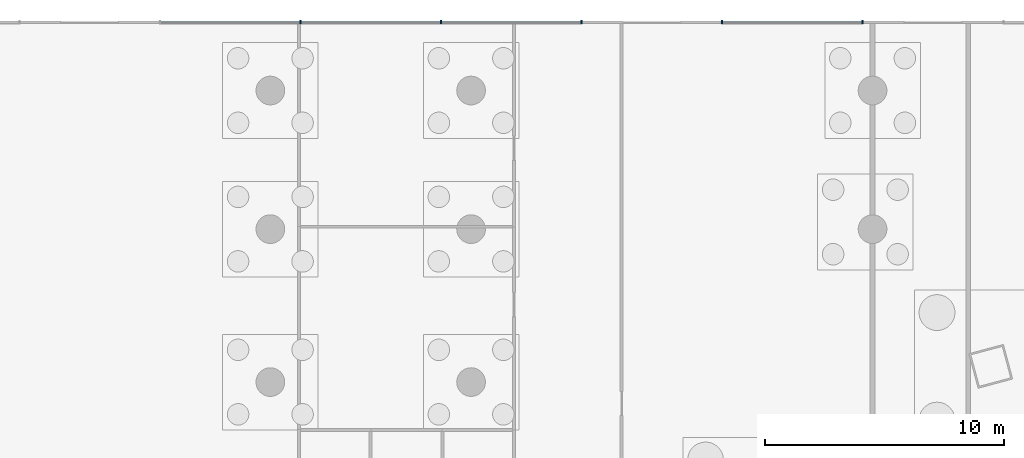
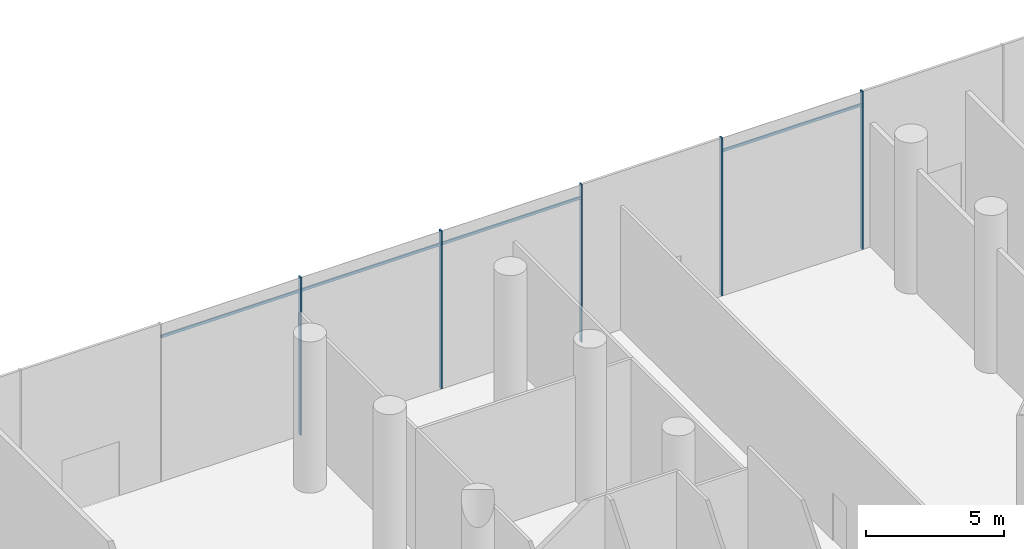
# One storey, part 17 of 41: 9 members, 1 element without a shape of its own.
"""IFC4 building model written with IfcOpenShell, lengths in metres."""

from ifc_helpers import new_model, si_unit, direction, frame, origin, origin_2d, place, context, subcontext, project, spatial, rectangle, extrude, material, material_profile, profile_set, type_object, element, aggregate, save


model = new_model("IFC4")

# Units and contexts
model_context = context("Model", 3, precision=1e-05, world=origin(), true_north=direction((0.0, 1.0)))
body_context = subcontext(model_context, "Body", "Model", "MODEL_VIEW")
ifc_project = project(units=[si_unit("LENGTHUNIT", "METRE"), si_unit("AREAUNIT", "SQUARE_METRE"), si_unit("VOLUMEUNIT", "CUBIC_METRE"), si_unit("PLANEANGLEUNIT", "RADIAN"), si_unit("MASSUNIT", "GRAM", prefix="KILO")], contexts=[model_context])

# Site, building, storey
site_placement = place(None, origin())
site = spatial("IfcSite", under=ifc_project, at=site_placement, CompositionType="ELEMENT")
building_placement = place(site_placement, origin())
building = spatial("IfcBuilding", under=site, at=building_placement, Name="Rimbun Link Towers", CompositionType="ELEMENT")
storey_placement = place(building_placement, origin())
storey = spatial("IfcBuildingStorey", under=building, at=storey_placement, Name="L00", CompositionType="ELEMENT", Elevation=0.0)

# Curtain wall, members
ifc_material_1 = material(Name="Aluminium 6063-T6 and low-iron glass", Category="aluminium")
curtain_wall_type = type_object("IfcCurtainWallType", Name="CW3 podium shopfront", PredefinedType="NOTDEFINED", material=ifc_material_1)
curtain_wall_placement = place(storey_placement, origin())
curtain_wall = element("IfcCurtainWall", 1, at=curtain_wall_placement, inside=storey, type_object=curtain_wall_type, Name="CW3 L00 PD", PredefinedType="NOTDEFINED")
ifc_material_2 = material(Name="Aluminium 6063-T6", Category="aluminium")
ifc_material_profile_1 = material_profile(ifc_material_2, rectangle(XDim=0.14990234375, YDim=0.06005859375, at=origin_2d()), Name="MULLION 60X150")
ifc_profile_set_1 = profile_set([ifc_material_profile_1], Name="Aluminium 6063-T6")
member_type_1 = type_object("IfcMemberType", Name="CW3 mullion 60X150", PredefinedType="MULLION", material=ifc_profile_set_1)
member_1_placement = place(storey_placement, frame((20.588134765625, 36.074951171875, 0.0), z_axis=(0.0, 0.0, 1.0), x_axis=(0.0, 1.0, 0.0)))
member_1 = element("IfcMember", 2, at=member_1_placement, type_object=member_type_1, Name="CW3 mullion", PredefinedType="MULLION", context=body_context, shape_type="SweptSolid", body=[
    extrude(rectangle(XDim=0.14990234375, YDim=0.06005859375, at=origin_2d()), origin(), (0.0, 0.0, 1.0), 7.0),
])
member_2_placement = place(storey_placement, frame((14.705810546875, 36.074951171875, 0.0), z_axis=(0.0, 0.0, 1.0), x_axis=(0.0, 1.0, 0.0)))
member_2 = element("IfcMember", 3, at=member_2_placement, type_object=member_type_1, Name="CW3 mullion", PredefinedType="MULLION", context=body_context, shape_type="SweptSolid", body=[
    extrude(rectangle(XDim=0.14990234375, YDim=0.06005859375, at=origin_2d()), origin(), (0.0, 0.0, 1.0), 7.0),
])
member_3_placement = place(storey_placement, frame((8.823486328125, 36.074951171875, 0.0), z_axis=(0.0, 0.0, 1.0), x_axis=(0.0, 1.0, 0.0)))
member_3 = element("IfcMember", 4, at=member_3_placement, type_object=member_type_1, Name="CW3 mullion", PredefinedType="MULLION", context=body_context, shape_type="SweptSolid", body=[
    extrude(rectangle(XDim=0.14990234375, YDim=0.06005859375, at=origin_2d()), origin(), (0.0, 0.0, 1.0), 7.0),
])
member_4_placement = place(storey_placement, frame((2.941162109375, 36.074951171875, 0.0), z_axis=(0.0, 0.0, 1.0), x_axis=(0.0, 1.0, 0.0)))
member_4 = element("IfcMember", 5, at=member_4_placement, type_object=member_type_1, Name="CW3 mullion", PredefinedType="MULLION", context=body_context, shape_type="SweptSolid", body=[
    extrude(rectangle(XDim=0.14990234375, YDim=0.06005859375, at=origin_2d()), origin(), (0.0, 0.0, 1.0), 7.0),
])
member_5_placement = place(storey_placement, frame((-2.941162109375, 36.074951171875, 0.0), z_axis=(0.0, 0.0, 1.0), x_axis=(0.0, 1.0, 0.0)))
member_5 = element("IfcMember", 6, at=member_5_placement, type_object=member_type_1, Name="CW3 mullion", PredefinedType="MULLION", context=body_context, shape_type="SweptSolid", body=[
    extrude(rectangle(XDim=0.14990234375, YDim=0.06005859375, at=origin_2d()), origin(), (0.0, 0.0, 1.0), 7.0),
])
ifc_material_3 = material(Name="Aluminium 6063-T6", Category="aluminium")
ifc_material_profile_2 = material_profile(ifc_material_3, rectangle(XDim=0.06005859375, YDim=0.1201171875, at=origin_2d()), Name="TRANSOM 60X120")
ifc_profile_set_2 = profile_set([ifc_material_profile_2], Name="Aluminium 6063-T6")
member_type_2 = type_object("IfcMemberType", Name="CW3 transom 60X120", PredefinedType="USERDEFINED", material=ifc_profile_set_2)
member_6_placement = place(storey_placement, frame((14.73583984375, 36.053955078125, 6.39990234375), z_axis=(1.0, 0.0, 0.0), x_axis=(0.0, 1.0, 0.0)))
member_6 = element("IfcMember", 7, at=member_6_placement, type_object=member_type_2, Name="CW3 transom", ObjectType="TRANSOM", PredefinedType="USERDEFINED", context=body_context, shape_type="SweptSolid", body=[
    extrude(rectangle(XDim=0.06005859375, YDim=0.1201171875, at=origin_2d()), origin(), (0.0, 0.0, 1.0), 5.822509765625),
])
member_7_placement = place(storey_placement, frame((2.97119140625, 36.053955078125, 6.39990234375), z_axis=(1.0, 0.0, 0.0), x_axis=(0.0, 1.0, 0.0)))
member_7 = element("IfcMember", 8, at=member_7_placement, type_object=member_type_2, Name="CW3 transom", ObjectType="TRANSOM", PredefinedType="USERDEFINED", context=body_context, shape_type="SweptSolid", body=[
    extrude(rectangle(XDim=0.06005859375, YDim=0.1201171875, at=origin_2d()), origin(), (0.0, 0.0, 1.0), 5.822265625),
])
member_8_placement = place(storey_placement, frame((-2.9111328125, 36.053955078125, 6.39990234375), z_axis=(1.0, 0.0, 0.0), x_axis=(0.0, 1.0, 0.0)))
member_8 = element("IfcMember", 9, at=member_8_placement, type_object=member_type_2, Name="CW3 transom", ObjectType="TRANSOM", PredefinedType="USERDEFINED", context=body_context, shape_type="SweptSolid", body=[
    extrude(rectangle(XDim=0.06005859375, YDim=0.1201171875, at=origin_2d()), origin(), (0.0, 0.0, 1.0), 5.822265625),
])
member_9_placement = place(storey_placement, frame((-8.79345703125, 36.053955078125, 6.39990234375), z_axis=(1.0, 0.0, 0.0), x_axis=(0.0, 1.0, 0.0)))
member_9 = element("IfcMember", 10, at=member_9_placement, type_object=member_type_2, Name="CW3 transom", ObjectType="TRANSOM", PredefinedType="USERDEFINED", context=body_context, shape_type="SweptSolid", body=[
    extrude(rectangle(XDim=0.06005859375, YDim=0.1201171875, at=origin_2d()), origin(), (0.0, 0.0, 1.0), 5.822265625),
])
aggregate(curtain_wall, [member_1, member_2, member_3, member_4, member_5, member_6, member_7, member_8, member_9])

save(model, "model.ifc")
